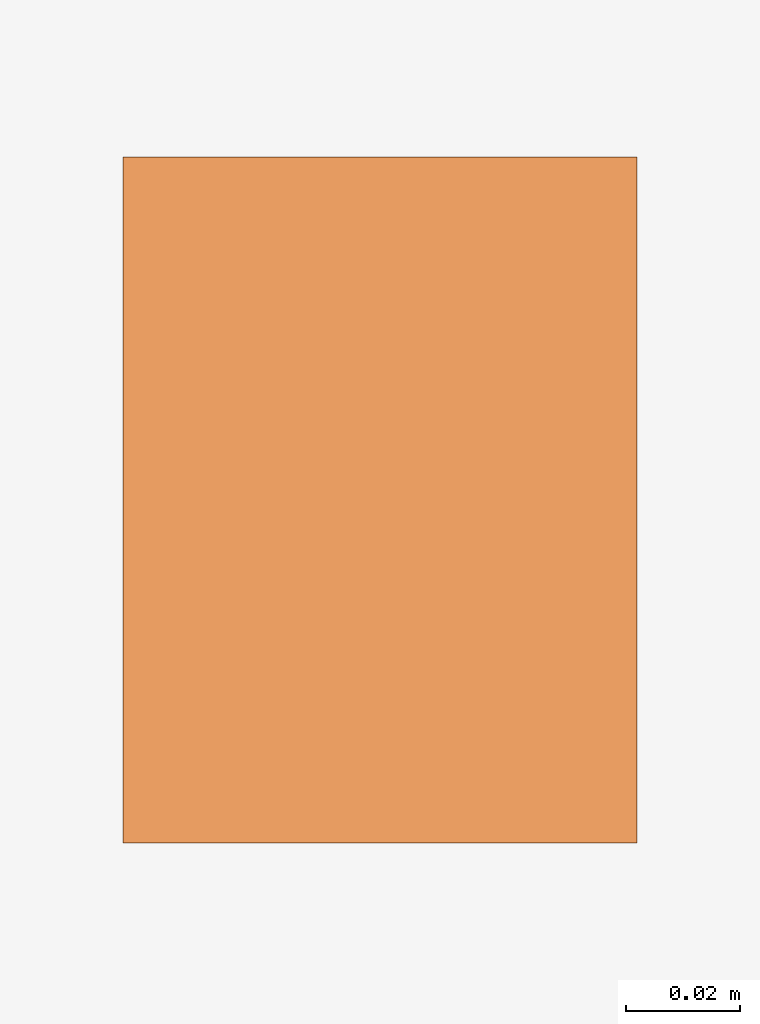
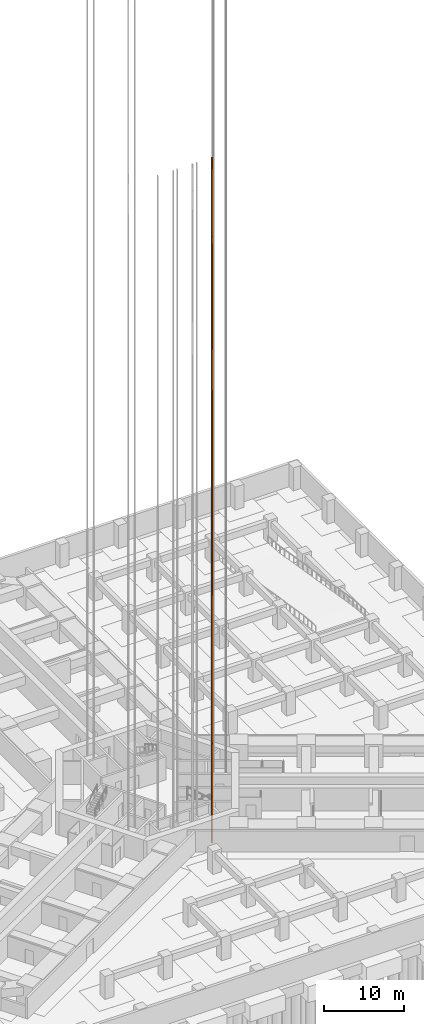
# One storey, part 69 of 73: 1 proxy.
"""IFC4 building model written with IfcOpenShell, lengths in metres."""

from ifc_helpers import new_model, si_unit, direction, frame, origin, origin_2d, place, context, subcontext, project, spatial, rectangle, extrude, material, type_object, element, save


model = new_model("IFC4")

# Units and contexts
model_context = context("Model", 3, precision=1e-05, world=origin(), true_north=direction((0.0, 1.0)))
body_context = subcontext(model_context, "Body", "Model", "MODEL_VIEW")
ifc_project = project(units=[si_unit("LENGTHUNIT", "METRE"), si_unit("AREAUNIT", "SQUARE_METRE"), si_unit("VOLUMEUNIT", "CUBIC_METRE"), si_unit("PLANEANGLEUNIT", "RADIAN"), si_unit("MASSUNIT", "GRAM", prefix="KILO")], contexts=[model_context])

# Site, building, storey
site_placement = place(None, origin())
site = spatial("IfcSite", under=ifc_project, at=site_placement, CompositionType="ELEMENT")
building_placement = place(site_placement, origin())
building = spatial("IfcBuilding", under=site, at=building_placement, Name="Impinga Residences", CompositionType="ELEMENT")
storey_placement = place(building_placement, frame((0.0, 0.0, -10.5)))
storey = spatial("IfcBuildingStorey", under=building, at=storey_placement, Name="B3", CompositionType="ELEMENT", Elevation=-10.5)

# Proxy
ifc_material = material(Name="Steel lift guide rail, galvanised", Category="steel")
building_element_proxy_type = type_object("IfcBuildingElementProxyType", Name="LGR lift guide rail", PredefinedType="USERDEFINED", material=ifc_material)
proxy_placement = place(storey_placement, frame((3.905029296875, -9.381591796875, -1.60009765625), z_axis=(0.0, 0.0, 1.0), x_axis=(1.0, 0.0, 0.0)))
element("IfcBuildingElementProxy", 1, at=proxy_placement, inside=storey, type_object=building_element_proxy_type, Name="Guide rail P1 2", ObjectType="Lift guide rail", PredefinedType="USERDEFINED", context=body_context, shape_type="SweptSolid", body=[
    extrude(rectangle(XDim=0.090087890625, YDim=0.1201171875, at=origin_2d()), origin(), (0.0, 0.0, 1.0), 104.25),
])

save(model, "model.ifc")
